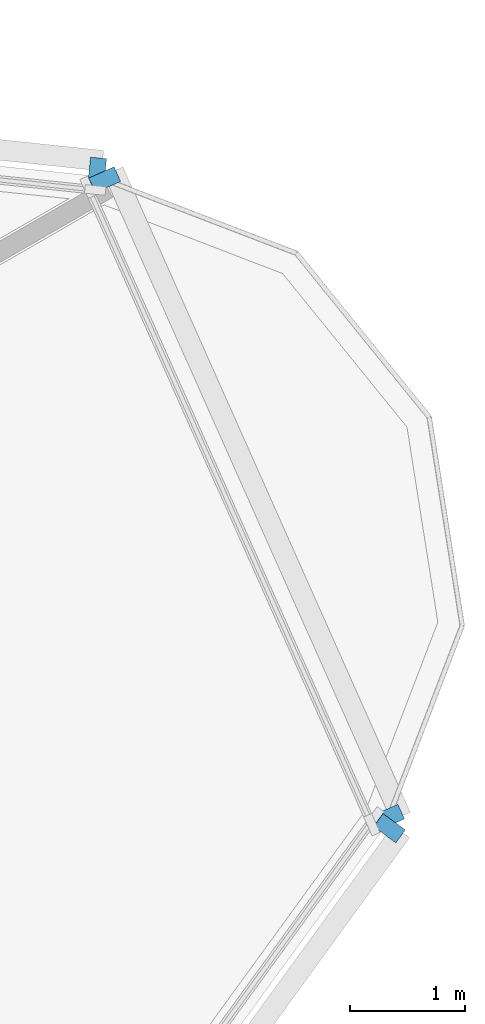
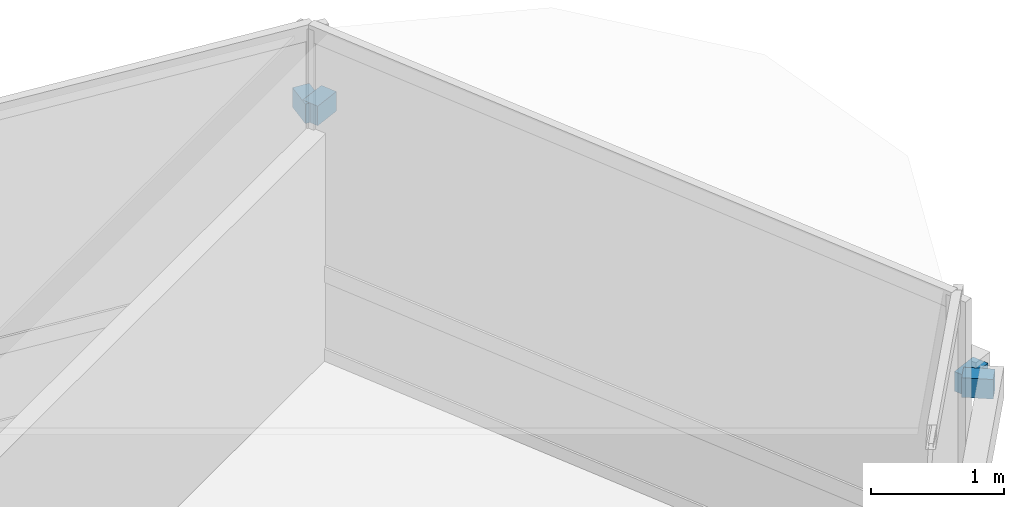
# One storey, part 11 of 14: 4 discrete accessories.
"""IFC4 building model written with IfcOpenShell, lengths in metres."""

from ifc_helpers import new_model, si_unit, direction, frame, origin, origin_2d, place, context, subcontext, project, spatial, rectangle, extrude, material, type_object, element, save


model = new_model("IFC4")

# Units and contexts
model_context = context("Model", 3, precision=1e-05, world=origin(), true_north=direction((0.0, 1.0)))
body_context = subcontext(model_context, "Body", "Model", "MODEL_VIEW")
ifc_project = project(units=[si_unit("LENGTHUNIT", "METRE"), si_unit("AREAUNIT", "SQUARE_METRE"), si_unit("VOLUMEUNIT", "CUBIC_METRE"), si_unit("PLANEANGLEUNIT", "RADIAN"), si_unit("MASSUNIT", "GRAM", prefix="KILO")], contexts=[model_context])

# Site, building, storey
site_placement = place(None, origin())
site = spatial("IfcSite", under=ifc_project, at=site_placement, CompositionType="ELEMENT")
building_placement = place(site_placement, origin())
building = spatial("IfcBuilding", under=site, at=building_placement, Name="Terralouvre Media Tower", CompositionType="ELEMENT")
storey_placement = place(building_placement, frame((0.0, 0.0, 244.800048828125)))
storey = spatial("IfcBuildingStorey", under=building, at=storey_placement, Name="L63", CompositionType="ELEMENT", Elevation=244.800048828125)

# Discrete accessories
ifc_material = material(Name="Anodised extruded aluminium 6063-T6", Category="aluminium")
discrete_accessory_type = type_object("IfcDiscreteAccessoryType", Name="Mullion Stand-Off Baguette Fixing Bracket BK-01", PredefinedType="BRACKET", material=ifc_material)
for number, where, z_axis, x_axis, name in (
    (1, (26.880615234375, 8.544189453125, 2.07421875), (0.0, 0.0, 1.0), (0.587785300879, 0.809016959074, 0.0), "CW-L63-F0 Baguette Outrigger Bracket 1.06"),
    (2, (24.336181640625, 14.259033203125, 2.07421875), (0.0, 0.0, 1.0), (-0.994521885028, 0.104528561651, 0.0), "CW-L63-F1 Baguette Outrigger Bracket 1.01"),
    (3, (26.873291015625, 8.640380859375, 2.07421875), (0.0, 0.0, 1.0), (-0.406737441315, 0.913545102243, 0.0), "CW-L63-C1 Baguette Outrigger Bracket 1.01"),
    (4, (24.40283203125, 14.189208984375, 2.07421875), (0.0, 0.0, 1.0), (-0.406737441315, 0.913545102243, 0.0), "CW-L63-C1 Baguette Outrigger Bracket 1.02"),
):
    element("IfcDiscreteAccessory", number, at=place(storey_placement, frame(where, z_axis=z_axis, x_axis=x_axis)), inside=storey, type_object=discrete_accessory_type, Name=name, PredefinedType="BRACKET", context=body_context, shape_type="SweptSolid", body=[
        extrude(rectangle(XDim=0.139892578125, YDim=0.239990234375, at=origin_2d()), origin(), (0.0, 0.0, 1.0), 0.179931640625),
    ])

save(model, "model.ifc")
